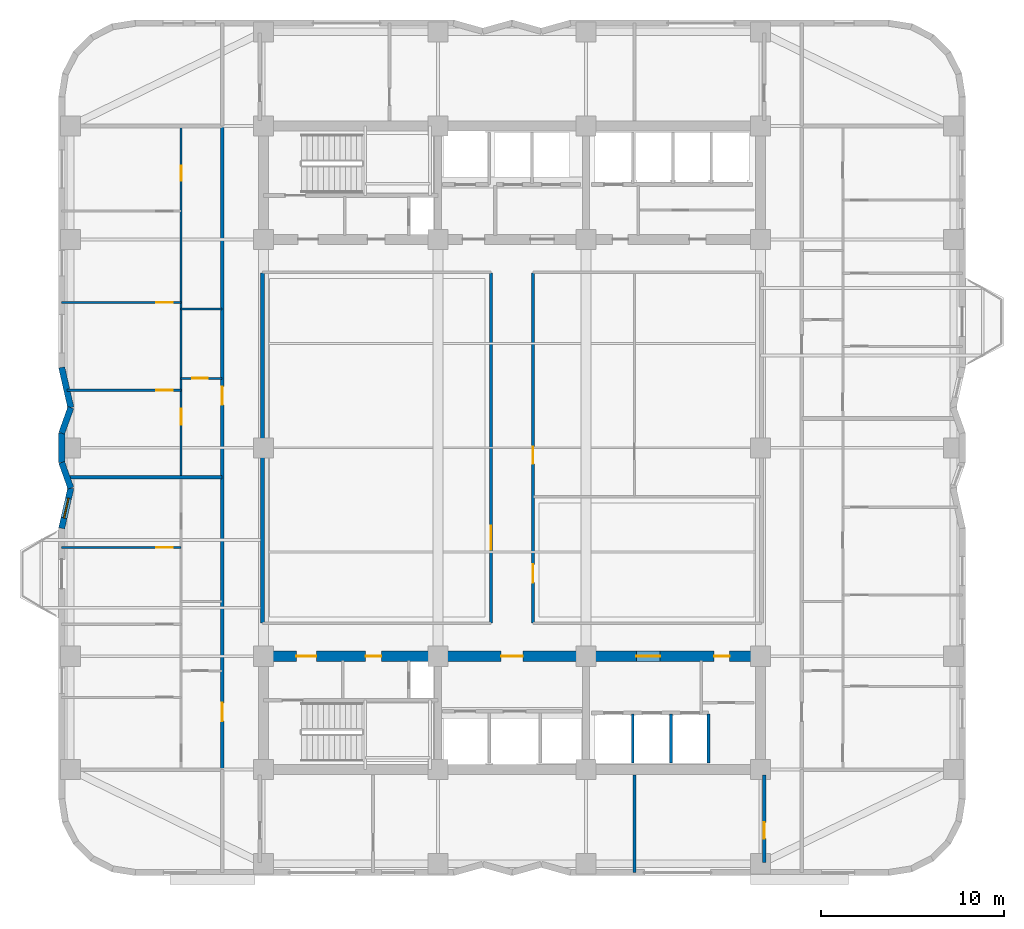
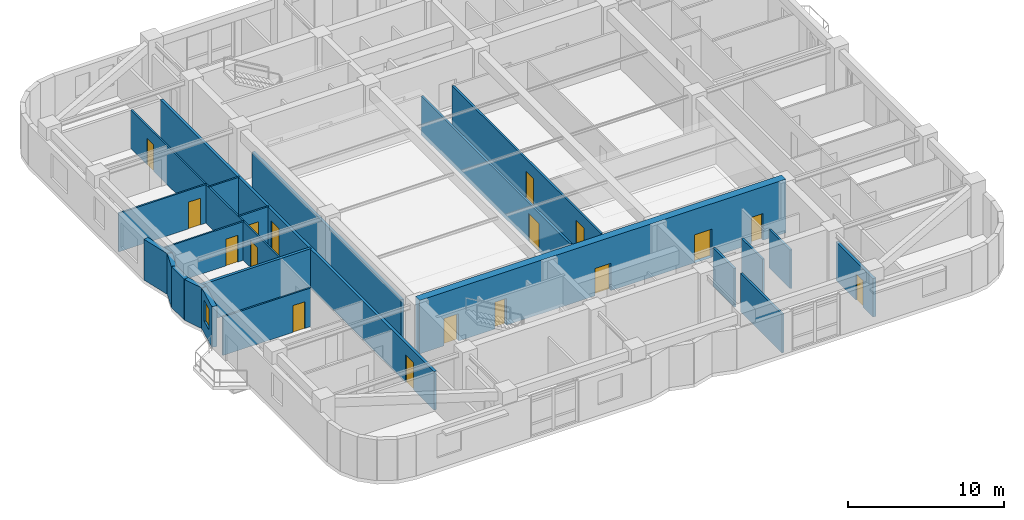
# One storey, part 8 of 15: 22 walls, 17 doors, 1 window, 18 openings.
"""IFC4 building model written with IfcOpenShell, lengths in metres."""

from ifc_helpers import new_model, si_unit, direction, frame, frame_2d, origin, place, context, subcontext, project, spatial, rectangle, extrude, material, layer, layer_set, type_object, element, fill, save


model = new_model("IFC4")

# Units and contexts
model_context = context("Model", 3, precision=1e-05, world=origin(), true_north=direction((0.0, 1.0)))
body_context = subcontext(model_context, "Body", "Model", "MODEL_VIEW")
ifc_project = project(units=[si_unit("LENGTHUNIT", "METRE"), si_unit("AREAUNIT", "SQUARE_METRE"), si_unit("VOLUMEUNIT", "CUBIC_METRE"), si_unit("PLANEANGLEUNIT", "RADIAN"), si_unit("MASSUNIT", "GRAM", prefix="KILO")], contexts=[model_context])

# Site, building, storey
site_placement = place(None, origin())
site = spatial("IfcSite", under=ifc_project, at=site_placement, CompositionType="ELEMENT")
building_placement = place(site_placement, origin())
building = spatial("IfcBuilding", under=site, at=building_placement, Name="Svetorya Sky Lyceum", CompositionType="ELEMENT")
storey_placement = place(building_placement, frame((0.0, 0.0, 84.10009765625)))
storey = spatial("IfcBuildingStorey", under=building, at=storey_placement, Name="L20", CompositionType="ELEMENT", Elevation=84.10009765625)

# Wall, openings, doors
ifc_material_1 = material(Name="Concrete C60/75", Category="concrete")
ifc_layer_1 = layer(ifc_material_1, 0.550048828125)
ifc_layer_set_1 = layer_set([ifc_layer_1], Name="Concrete C60/75")
wall_type_1 = type_object("IfcWallType", Name="WL-CORE-550", PredefinedType="SHEAR", material=ifc_layer_set_1)
wall_1_placement = place(storey_placement, frame((25.60009765625, 16.800048828125, 0.0), z_axis=(0.0, 0.0, 1.0), x_axis=(1.0, 0.0, 0.0)))
wall_1 = element("IfcWall", 1, at=wall_1_placement, inside=storey, type_object=wall_type_1, Name="L20 SC Inner Core Shear Wall", PredefinedType="SHEAR", context=body_context, shape_type="SweptSolid", body=[
    extrude(rectangle(XDim=27.199951171875, YDim=0.550048828125, at=frame_2d((13.60009765625, 0.0))), origin(), (0.0, 0.0, 1.0), 4.199951171875),
])
opening_1_placement = place(wall_1_placement, frame((1.800048828125, 0.0, 0.0)))
opening_1 = element("IfcOpeningElement", 2, at=opening_1_placement, cuts=wall_1, Name="Opening D-ST1", PredefinedType="OPENING", context=body_context, shape_type="SweptSolid", body=[
    extrude(rectangle(XDim=1.10009765625, YDim=2.14990234375, at=frame_2d((0.550048828125, 1.074951171875))), frame((0.0, 0.284912109375, 0.0), z_axis=(0.0, -1.0, 0.0), x_axis=(1.0, 0.0, 0.0)), (0.0, 0.0, 1.0), 0.570068359375),
])
opening_2_placement = place(wall_1_placement, frame((5.60009765625, 0.0, 0.0)))
opening_2 = element("IfcOpeningElement", 3, at=opening_2_placement, cuts=wall_1, Name="Opening D-CWC1", PredefinedType="OPENING", context=body_context, shape_type="SweptSolid", body=[
    extrude(rectangle(XDim=0.85009765625, YDim=2.10009765625, at=frame_2d((0.425048828125, 1.050048828125))), frame((0.0, 0.284912109375, 0.0), z_axis=(0.0, -1.0, 0.0), x_axis=(1.0, 0.0, 0.0)), (0.0, 0.0, 1.0), 0.570068359375),
])
opening_3_placement = place(wall_1_placement, frame((13.0, 0.0, 0.0)))
opening_3 = element("IfcOpeningElement", 4, at=opening_3_placement, cuts=wall_1, Name="Opening D-FL1", PredefinedType="OPENING", context=body_context, shape_type="SweptSolid", body=[
    extrude(rectangle(XDim=1.199951171875, YDim=2.14990234375, at=frame_2d((0.60009765625, 1.074951171875))), frame((0.0, 0.284912109375, 0.0), z_axis=(0.0, -1.0, 0.0), x_axis=(1.0, 0.0, 0.0)), (0.0, 0.0, 1.0), 0.570068359375),
])
opening_4_placement = place(wall_1_placement, frame((20.39990234375, 0.0, 0.0)))
opening_4 = element("IfcOpeningElement", 5, at=opening_4_placement, cuts=wall_1, Name="Opening D-LB1", PredefinedType="OPENING", context=body_context, shape_type="SweptSolid", body=[
    extrude(rectangle(XDim=1.300048828125, YDim=2.199951171875, at=frame_2d((0.64990234375, 1.10009765625))), frame((0.0, 0.284912109375, 0.0), z_axis=(0.0, -1.0, 0.0), x_axis=(1.0, 0.0, 0.0)), (0.0, 0.0, 1.0), 0.570068359375),
])
opening_5_placement = place(wall_1_placement, frame((24.64990234375, 0.0, 0.0)))
opening_5 = element("IfcOpeningElement", 6, at=opening_5_placement, cuts=wall_1, Name="Opening D-CWC1", PredefinedType="OPENING", context=body_context, shape_type="SweptSolid", body=[
    extrude(rectangle(XDim=0.85009765625, YDim=2.10009765625, at=frame_2d((0.425048828125, 1.050048828125))), frame((0.0, 0.284912109375, 0.0), z_axis=(0.0, -1.0, 0.0), x_axis=(1.0, 0.0, 0.0)), (0.0, 0.0, 1.0), 0.570068359375),
])
ifc_material_2 = material(Name="Fire-rated galvanized steel core service closet door", Category="steel")
door_type_1 = type_object("IfcDoorType", Name="DR-CWET-850", OperationType="SINGLE_SWING_LEFT", PredefinedType="DOOR", material=ifc_material_2)
door_1_placement = place(opening_2_placement, origin())
door_1 = element("IfcDoor", 7, at=door_1_placement, inside=storey, type_object=door_type_1, Name="L20 South Hydrant Room Door", OperationType="SINGLE_SWING_LEFT", OverallHeight=2.10009765625, OverallWidth=0.85009765625, PredefinedType="DOOR", context=body_context, shape_type="SweptSolid", body=[
    extrude(rectangle(XDim=0.85009765625, YDim=2.10009765625, at=frame_2d((0.425048828125, 1.050048828125))), frame((0.0, 0.02490234375, 0.0), z_axis=(0.0, -1.0, 0.0), x_axis=(1.0, 0.0, 0.0)), (0.0, 0.0, 1.0), 0.050048828125),
])
fill(opening_2, door_1)
door_2_placement = place(opening_5_placement, origin())
door_2 = element("IfcDoor", 8, at=door_2_placement, inside=storey, type_object=door_type_1, Name="L20 South Core Auxiliary Door", OperationType="SINGLE_SWING_LEFT", OverallHeight=2.10009765625, OverallWidth=0.85009765625, PredefinedType="DOOR", context=body_context, shape_type="SweptSolid", body=[
    extrude(rectangle(XDim=0.85009765625, YDim=2.10009765625, at=frame_2d((0.425048828125, 1.050048828125))), frame((0.0, 0.02490234375, 0.0), z_axis=(0.0, -1.0, 0.0), x_axis=(1.0, 0.0, 0.0)), (0.0, 0.0, 1.0), 0.050048828125),
])
fill(opening_5, door_2)
ifc_material_3 = material(Name="Powder-coated insulated galvanized stair fire door")
door_type_2 = type_object("IfcDoorType", Name="DR-FIRE-1100", OperationType="SINGLE_SWING_LEFT", PredefinedType="DOOR", material=ifc_material_3)
door_3_placement = place(opening_1_placement, origin())
door_3 = element("IfcDoor", 9, at=door_3_placement, inside=storey, type_object=door_type_2, Name="L20 South Stair Airlock Door", OperationType="SINGLE_SWING_RIGHT", OverallHeight=2.14990234375, OverallWidth=1.10009765625, PredefinedType="DOOR", context=body_context, shape_type="SweptSolid", body=[
    extrude(rectangle(XDim=1.10009765625, YDim=2.14990234375, at=frame_2d((0.550048828125, 1.074951171875))), frame((0.0, 0.02490234375, 0.0), z_axis=(0.0, -1.0, 0.0), x_axis=(1.0, 0.0, 0.0)), (0.0, 0.0, 1.0), 0.050048828125),
])
fill(opening_1, door_3)
ifc_material_4 = material(Name="Powder-coated insulated galvanized fire door")
door_type_3 = type_object("IfcDoorType", Name="DR-FIRE-1200", OperationType="SINGLE_SWING_LEFT", PredefinedType="DOOR", material=ifc_material_4)
door_4_placement = place(opening_3_placement, origin())
door_4 = element("IfcDoor", 10, at=door_4_placement, inside=storey, type_object=door_type_3, Name="L20 South Firefighting Lift Lobby Door", OperationType="SINGLE_SWING_LEFT", OverallHeight=2.14990234375, OverallWidth=1.199951171875, PredefinedType="DOOR", context=body_context, shape_type="SweptSolid", body=[
    extrude(rectangle(XDim=1.199951171875, YDim=2.14990234375, at=frame_2d((0.60009765625, 1.074951171875))), frame((0.0, 0.02490234375, 0.0), z_axis=(0.0, -1.0, 0.0), x_axis=(1.0, 0.0, 0.0)), (0.0, 0.0, 1.0), 0.050048828125),
])
fill(opening_3, door_4)
ifc_material_5 = material(Name="Glazed fire-rated aluminium lobby door", Category="aluminium")
door_type_4 = type_object("IfcDoorType", Name="DR-LOB-1300", OperationType="SINGLE_SWING_LEFT", PredefinedType="DOOR", material=ifc_material_5)
door_5_placement = place(opening_4_placement, origin())
door_5 = element("IfcDoor", 11, at=door_5_placement, inside=storey, type_object=door_type_4, Name="L20 Low-Rise Lift Lobby Door", OperationType="SINGLE_SWING_RIGHT", OverallHeight=2.199951171875, OverallWidth=1.300048828125, PredefinedType="DOOR", context=body_context, shape_type="SweptSolid", body=[
    extrude(rectangle(XDim=1.300048828125, YDim=2.199951171875, at=frame_2d((0.64990234375, 1.10009765625))), frame((0.0, 0.02490234375, 0.0), z_axis=(0.0, -1.0, 0.0), x_axis=(1.0, 0.0, 0.0)), (0.0, 0.0, 1.0), 0.050048828125),
])
fill(opening_4, door_5)

# Walls
ifc_material_6 = material(Name="Putilovo limestone rainscreen on autoclaved cellular masonry", Category="masonry")
ifc_layer_2 = layer(ifc_material_6, 0.340087890625)
ifc_layer_set_2 = layer_set([ifc_layer_2], Name="Putilovo limestone rainscreen on autoclaved cellular masonry")
wall_type_2 = type_object("IfcWallType", Name="WL-EXT-340", PredefinedType="SOLIDWALL", material=ifc_layer_set_2)
wall_2_placement = place(storey_placement, frame((14.570068359375, 32.60009765625, 0.0), z_axis=(0.0, 0.0, 1.0), x_axis=(0.221602396322, -0.975137107254, 0.0)))
element("IfcWall", 12, at=wall_2_placement, inside=storey, type_object=wall_type_2, Name="L20 Limestone Exterior Wall 41M", PredefinedType="SOLIDWALL", context=body_context, shape_type="SweptSolid", body=[
    extrude(rectangle(XDim=2.25634765625, YDim=0.340087890625, at=frame_2d((1.128173828125, 0.0))), origin(), (0.0, 0.0, 1.0), 3.199951171875),
])
wall_3_placement = place(storey_placement, frame((15.070068359375, 30.39990234375, 0.0), z_axis=(0.0, 0.0, 1.0), x_axis=(-0.336357205213, -0.94173447983, 0.0)))
element("IfcWall", 13, at=wall_3_placement, inside=storey, type_object=wall_type_2, Name="L20 Limestone Exterior Wall 42M", PredefinedType="SOLIDWALL", context=body_context, shape_type="SweptSolid", body=[
    extrude(rectangle(XDim=1.486572265625, YDim=0.340087890625, at=frame_2d((0.7431640625, 0.0))), origin(), (0.0, 0.0, 1.0), 3.199951171875),
])
wall_4_placement = place(storey_placement, frame((14.570068359375, 29.0, 0.0), z_axis=(0.0, 0.0, 1.0), x_axis=(0.0, -1.0, 0.0)))
element("IfcWall", 14, at=wall_4_placement, inside=storey, type_object=wall_type_2, Name="L20 Limestone Exterior Wall 43M", PredefinedType="SOLIDWALL", context=body_context, shape_type="SweptSolid", body=[
    extrude(rectangle(XDim=1.60009765625, YDim=0.340087890625, at=frame_2d((0.800048828125, 0.0))), origin(), (0.0, 0.0, 1.0), 3.199951171875),
])
wall_5_placement = place(storey_placement, frame((14.570068359375, 27.39990234375, 0.0), z_axis=(0.0, 0.0, 1.0), x_axis=(0.336357205213, -0.94173447983, 0.0)))
element("IfcWall", 15, at=wall_5_placement, inside=storey, type_object=wall_type_2, Name="L20 Limestone Exterior Wall 44M", PredefinedType="SOLIDWALL", context=body_context, shape_type="SweptSolid", body=[
    extrude(rectangle(XDim=1.486572265625, YDim=0.340087890625, at=frame_2d((0.7431640625, 0.0))), origin(), (0.0, 0.0, 1.0), 3.199951171875),
])

# Wall, opening, window
wall_6_placement = place(storey_placement, frame((15.070068359375, 26.0, 0.0), z_axis=(0.0, 0.0, 1.0), x_axis=(-0.221625780886, -0.975131792758, 0.0)))
wall_6 = element("IfcWall", 16, at=wall_6_placement, inside=storey, type_object=wall_type_2, Name="L20 Limestone Exterior Wall 45M", PredefinedType="SOLIDWALL", context=body_context, shape_type="SweptSolid", body=[
    extrude(rectangle(XDim=2.256103515625, YDim=0.340087890625, at=frame_2d((1.1279296875, 0.0))), origin(), (0.0, 0.0, 1.0), 3.199951171875),
])
opening_6_placement = place(wall_6_placement, frame((0.578125, 0.0, 0.949951171875)))
opening_6 = element("IfcOpeningElement", 17, at=opening_6_placement, cuts=wall_6, Name="Opening W-R3", PredefinedType="OPENING", context=body_context, shape_type="SweptSolid", body=[
    extrude(rectangle(XDim=1.10009765625, YDim=1.64990234375, at=frame_2d((0.550048828125, 0.824951171875))), frame((0.0, 0.179931640625, 0.0), z_axis=(0.0, -1.0, 0.0), x_axis=(1.0, 0.0, 0.0)), (0.0, 0.0, 1.0), 0.360107421875),
])
ifc_material_7 = material(Name="Thermally broken aluminium frame with triple low-E glazing", Category="aluminium")
window_type = type_object("IfcWindowType", Name="WN-RES-110", PartitioningType="SINGLE_PANEL", PredefinedType="WINDOW", material=ifc_material_7)
window_placement = place(opening_6_placement, origin())
window = element("IfcWindow", 18, at=window_placement, inside=storey, type_object=window_type, Name="L20 Facade Window W-R3.45M.1", OverallHeight=1.64990234375, OverallWidth=1.10009765625, PartitioningType="SINGLE_PANEL", PredefinedType="WINDOW", context=body_context, shape_type="SweptSolid", body=[
    extrude(rectangle(XDim=1.10009765625, YDim=1.64990234375, at=frame_2d((0.550048828125, 0.824951171875))), frame((0.0, 0.030029296875, 0.0), z_axis=(0.0, -1.0, 0.0), x_axis=(1.0, 0.0, 0.0)), (0.0, 0.0, 1.0), 0.06005859375),
])
fill(opening_6, window)

# Wall, opening, door
ifc_material_8 = material(Name="Twin-stud galvanized framing with double fireboard", Category="gypsum")
ifc_layer_3 = layer(ifc_material_8, 0.1201171875)
ifc_layer_set_3 = layer_set([ifc_layer_3], Name="Twin-stud galvanized framing with double fireboard")
wall_type_3 = type_object("IfcWallType", Name="WL-PART-120", PredefinedType="PARTITIONING", material=ifc_layer_set_3)
wall_7_placement = place(storey_placement, frame((14.570068359375, 22.75, 0.0), z_axis=(0.0, 0.0, 1.0), x_axis=(1.0, 0.0, 0.0)))
wall_7 = element("IfcWall", 19, at=wall_7_placement, inside=storey, type_object=wall_type_3, Name="L20 Interior Partition W1-WL3", PredefinedType="PARTITIONING", context=body_context, shape_type="SweptSolid", body=[
    extrude(rectangle(XDim=6.530029296875, YDim=0.1201171875, at=frame_2d((3.26513671875, 0.0))), origin(), (0.0, 0.0, 1.0), 3.02978515625),
])
opening_7_placement = place(wall_7_placement, frame((5.179931640625, 0.0, 0.0)))
opening_7 = element("IfcOpeningElement", 20, at=opening_7_placement, cuts=wall_7, Name="Opening D-RM1", PredefinedType="OPENING", context=body_context, shape_type="SweptSolid", body=[
    extrude(rectangle(XDim=0.89990234375, YDim=2.10009765625, at=frame_2d((0.449951171875, 1.050048828125))), frame((0.0, 0.070068359375, 0.0), z_axis=(0.0, -1.0, 0.0), x_axis=(1.0, 0.0, 0.0)), (0.0, 0.0, 1.0), 0.14013671875),
])
ifc_material_9 = material(Name="Lacquered birch veneer internal door")
door_type_5 = type_object("IfcDoorType", Name="DR-INT-900", OperationType="SINGLE_SWING_LEFT", PredefinedType="DOOR", material=ifc_material_9)
door_6_placement = place(opening_7_placement, origin())
door_6 = element("IfcDoor", 21, at=door_6_placement, inside=storey, type_object=door_type_5, Name="Apartment W1 Bedroom 3 Door", OperationType="SINGLE_SWING_LEFT", OverallHeight=2.10009765625, OverallWidth=0.89990234375, PredefinedType="DOOR", context=body_context, shape_type="SweptSolid", body=[
    extrude(rectangle(XDim=0.89990234375, YDim=2.10009765625, at=frame_2d((0.449951171875, 1.050048828125))), frame((0.0, 0.02490234375, 0.0), z_axis=(0.0, -1.0, 0.0), x_axis=(1.0, 0.0, 0.0)), (0.0, 0.0, 1.0), 0.050048828125),
])
fill(opening_7, door_6)

wall_8_placement = place(storey_placement, frame((21.10009765625, 32.0, 0.0), z_axis=(0.0, 0.0, 1.0), x_axis=(1.0, 0.0, 0.0)))
wall_8 = element("IfcWall", 22, at=wall_8_placement, inside=storey, type_object=wall_type_3, Name="L20 Interior Partition W2-WH1", PredefinedType="PARTITIONING", context=body_context, shape_type="SweptSolid", body=[
    extrude(rectangle(XDim=2.25, YDim=0.1201171875, at=frame_2d((1.125, 0.0))), origin(), (0.0, 0.0, 1.0), 3.02978515625),
])
opening_8_placement = place(wall_8_placement, frame((0.60009765625, 0.0, 0.0)))
opening_8 = element("IfcOpeningElement", 23, at=opening_8_placement, cuts=wall_8, Name="Opening D-BT1", PredefinedType="OPENING", context=body_context, shape_type="SweptSolid", body=[
    extrude(rectangle(XDim=0.85009765625, YDim=2.10009765625, at=frame_2d((0.425048828125, 1.050048828125))), frame((0.0, 0.070068359375, 0.0), z_axis=(0.0, -1.0, 0.0), x_axis=(1.0, 0.0, 0.0)), (0.0, 0.0, 1.0), 0.14013671875),
])
ifc_material_10 = material(Name="Moisture-resistant laminate bathroom door")
door_type_6 = type_object("IfcDoorType", Name="DR-WET-850", OperationType="SINGLE_SWING_LEFT", PredefinedType="DOOR", material=ifc_material_10)
door_7_placement = place(opening_8_placement, origin())
door_7 = element("IfcDoor", 24, at=door_7_placement, inside=storey, type_object=door_type_6, Name="Apartment W2 Bathroom Door", OperationType="SINGLE_SWING_RIGHT", OverallHeight=2.10009765625, OverallWidth=0.85009765625, PredefinedType="DOOR", context=body_context, shape_type="SweptSolid", body=[
    extrude(rectangle(XDim=0.85009765625, YDim=2.10009765625, at=frame_2d((0.425048828125, 1.050048828125))), frame((0.0, 0.02490234375, 0.0), z_axis=(0.0, -1.0, 0.0), x_axis=(1.0, 0.0, 0.0)), (0.0, 0.0, 1.0), 0.050048828125),
])
fill(opening_8, door_7)

# Wall
wall_9_placement = place(storey_placement, frame((21.10009765625, 35.800048828125, 0.0), z_axis=(0.0, 0.0, 1.0), x_axis=(1.0, 0.0, 0.0)))
element("IfcWall", 25, at=wall_9_placement, inside=storey, type_object=wall_type_3, Name="L20 Interior Partition W2-WH2", PredefinedType="PARTITIONING", context=body_context, shape_type="SweptSolid", body=[
    extrude(rectangle(XDim=2.25, YDim=0.1201171875, at=frame_2d((1.125, 0.0))), origin(), (0.0, 0.0, 1.0), 3.02978515625),
])

# Wall, opening, door
wall_10_placement = place(storey_placement, frame((14.85400390625, 31.35009765625, 0.0), z_axis=(0.0, 0.0, 1.0), x_axis=(1.0, 0.0, 0.0)))
wall_10 = element("IfcWall", 26, at=wall_10_placement, inside=storey, type_object=wall_type_3, Name="L20 Interior Partition W2-WL1", PredefinedType="PARTITIONING", context=body_context, shape_type="SweptSolid", body=[
    extrude(rectangle(XDim=6.24609375, YDim=0.1201171875, at=frame_2d((3.123046875, 0.0))), origin(), (0.0, 0.0, 1.0), 3.02978515625),
])
opening_9_placement = place(wall_10_placement, frame((4.89599609375, 0.0, 0.0)))
opening_9 = element("IfcOpeningElement", 27, at=opening_9_placement, cuts=wall_10, Name="Opening D-RM1", PredefinedType="OPENING", context=body_context, shape_type="SweptSolid", body=[
    extrude(rectangle(XDim=0.89990234375, YDim=2.10009765625, at=frame_2d((0.449951171875, 1.050048828125))), frame((0.0, 0.070068359375, 0.0), z_axis=(0.0, -1.0, 0.0), x_axis=(1.0, 0.0, 0.0)), (0.0, 0.0, 1.0), 0.14013671875),
])
door_8_placement = place(opening_9_placement, origin())
door_8 = element("IfcDoor", 28, at=door_8_placement, inside=storey, type_object=door_type_5, Name="Apartment W2 Master Bedroom Door", OperationType="SINGLE_SWING_RIGHT", OverallHeight=2.10009765625, OverallWidth=0.89990234375, PredefinedType="DOOR", context=body_context, shape_type="SweptSolid", body=[
    extrude(rectangle(XDim=0.89990234375, YDim=2.10009765625, at=frame_2d((0.449951171875, 1.050048828125))), frame((0.0, 0.02490234375, 0.0), z_axis=(0.0, -1.0, 0.0), x_axis=(1.0, 0.0, 0.0)), (0.0, 0.0, 1.0), 0.050048828125),
])
fill(opening_9, door_8)

wall_11_placement = place(storey_placement, frame((14.570068359375, 36.14990234375, 0.0), z_axis=(0.0, 0.0, 1.0), x_axis=(1.0, 0.0, 0.0)))
wall_11 = element("IfcWall", 29, at=wall_11_placement, inside=storey, type_object=wall_type_3, Name="L20 Interior Partition W2-WL2", PredefinedType="PARTITIONING", context=body_context, shape_type="SweptSolid", body=[
    extrude(rectangle(XDim=6.530029296875, YDim=0.1201171875, at=frame_2d((3.26513671875, 0.0))), origin(), (0.0, 0.0, 1.0), 3.02978515625),
])
opening_10_placement = place(wall_11_placement, frame((5.179931640625, 0.0, 0.0)))
opening_10 = element("IfcOpeningElement", 30, at=opening_10_placement, cuts=wall_11, Name="Opening D-RM1", PredefinedType="OPENING", context=body_context, shape_type="SweptSolid", body=[
    extrude(rectangle(XDim=0.89990234375, YDim=2.10009765625, at=frame_2d((0.449951171875, 1.050048828125))), frame((0.0, 0.070068359375, 0.0), z_axis=(0.0, -1.0, 0.0), x_axis=(1.0, 0.0, 0.0)), (0.0, 0.0, 1.0), 0.14013671875),
])
door_9_placement = place(opening_10_placement, origin())
door_9 = element("IfcDoor", 31, at=door_9_placement, inside=storey, type_object=door_type_5, Name="Apartment W2 Bedroom 2 Door", OperationType="SINGLE_SWING_LEFT", OverallHeight=2.10009765625, OverallWidth=0.89990234375, PredefinedType="DOOR", context=body_context, shape_type="SweptSolid", body=[
    extrude(rectangle(XDim=0.89990234375, YDim=2.10009765625, at=frame_2d((0.449951171875, 1.050048828125))), frame((0.0, 0.02490234375, 0.0), z_axis=(0.0, -1.0, 0.0), x_axis=(1.0, 0.0, 0.0)), (0.0, 0.0, 1.0), 0.050048828125),
])
fill(opening_10, door_9)

# Wall, openings, doors
wall_12_placement = place(storey_placement, frame((21.10009765625, 26.639892578125, 0.0), z_axis=(0.0, 0.0, 1.0), x_axis=(0.0, 1.0, 0.0)))
wall_12 = element("IfcWall", 32, at=wall_12_placement, inside=storey, type_object=wall_type_3, Name="L20 Interior Partition W2-WV", PredefinedType="PARTITIONING", context=body_context, shape_type="SweptSolid", body=[
    extrude(rectangle(XDim=19.1201171875, YDim=0.1201171875, at=frame_2d((9.56005859375, 0.0))), origin(), (0.0, 0.0, 1.0), 3.02978515625),
])
opening_11_placement = place(wall_12_placement, frame((2.81005859375, 0.0, 0.0)))
opening_11 = element("IfcOpeningElement", 33, at=opening_11_placement, cuts=wall_12, Name="Opening D-RM1", PredefinedType="OPENING", context=body_context, shape_type="SweptSolid", body=[
    extrude(rectangle(XDim=0.89990234375, YDim=2.10009765625, at=frame_2d((0.449951171875, 1.050048828125))), frame((0.0, 0.070068359375, 0.0), z_axis=(0.0, -1.0, 0.0), x_axis=(1.0, 0.0, 0.0)), (0.0, 0.0, 1.0), 0.14013671875),
])
opening_12_placement = place(wall_12_placement, frame((16.179931640625, 0.0, 0.0)))
opening_12 = element("IfcOpeningElement", 34, at=opening_12_placement, cuts=wall_12, Name="Opening D-BT2", PredefinedType="OPENING", context=body_context, shape_type="SweptSolid", body=[
    extrude(rectangle(XDim=0.820068359375, YDim=2.080078125, at=frame_2d((0.41015625, 1.0400390625))), frame((0.0, 0.070068359375, 0.0), z_axis=(0.0, -1.0, 0.0), x_axis=(1.0, 0.0, 0.0)), (0.0, 0.0, 1.0), 0.14013671875),
])
door_10_placement = place(opening_11_placement, origin())
door_10 = element("IfcDoor", 35, at=door_10_placement, inside=storey, type_object=door_type_5, Name="Apartment W2 Living Door", OperationType="SINGLE_SWING_LEFT", OverallHeight=2.10009765625, OverallWidth=0.89990234375, PredefinedType="DOOR", context=body_context, shape_type="SweptSolid", body=[
    extrude(rectangle(XDim=0.89990234375, YDim=2.10009765625, at=frame_2d((0.449951171875, 1.050048828125))), frame((0.0, 0.02490234375, 0.0), z_axis=(0.0, -1.0, 0.0), x_axis=(1.0, 0.0, 0.0)), (0.0, 0.0, 1.0), 0.050048828125),
])
fill(opening_11, door_10)
ifc_material_11 = material(Name="Compact moisture-resistant laminate closet door")
door_type_7 = type_object("IfcDoorType", Name="DR-WET-820", OperationType="SINGLE_SWING_LEFT", PredefinedType="DOOR", material=ifc_material_11)
door_11_placement = place(opening_12_placement, origin())
door_11 = element("IfcDoor", 36, at=door_11_placement, inside=storey, type_object=door_type_7, Name="Apartment W2 Study Door", OperationType="SINGLE_SWING_RIGHT", OverallHeight=2.080078125, OverallWidth=0.820068359375, PredefinedType="DOOR", context=body_context, shape_type="SweptSolid", body=[
    extrude(rectangle(XDim=0.820068359375, YDim=2.080078125, at=frame_2d((0.41015625, 1.0400390625))), frame((0.0, 0.02490234375, 0.0), z_axis=(0.0, -1.0, 0.0), x_axis=(1.0, 0.0, 0.0)), (0.0, 0.0, 1.0), 0.050048828125),
])
fill(opening_12, door_11)

# Walls
ifc_material_12 = material(Name="Autoclaved cellular masonry blockwork with acoustic render", Category="masonry")
ifc_layer_4 = layer(ifc_material_12, 0.14990234375)
ifc_layer_set_4 = layer_set([ifc_layer_4], Name="Autoclaved cellular masonry blockwork with acoustic render")
wall_type_4 = type_object("IfcWallType", Name="WL-PART-150", PredefinedType="PARTITIONING", material=ifc_layer_set_4)
for number, where, z_axis, x_axis, name in (
    (37, (45.800048828125, 10.949951171875, 0.0), (0.0, 0.0, 1.0), (0.0, 1.0, 0.0), "L20 Interior Partition SC-PL-DIV1"),
    (38, (47.89990234375, 10.949951171875, 0.0), (0.0, 0.0, 1.0), (0.0, 1.0, 0.0), "L20 Interior Partition SC-PL-DIV2"),
    (39, (49.949951171875, 10.949951171875, 0.0), (0.0, 0.0, 1.0), (0.0, 1.0, 0.0), "L20 Interior Partition SC-PL-END"),
):
    element("IfcWall", number, at=place(storey_placement, frame(where, z_axis=z_axis, x_axis=x_axis)), inside=storey, type_object=wall_type_4, Name=name, PredefinedType="PARTITIONING", context=body_context, shape_type="SweptSolid", body=[
        extrude(rectangle(XDim=2.699951171875, YDim=0.14990234375, at=frame_2d((1.35009765625, 0.0))), origin(), (0.0, 0.0, 1.0), 3.02978515625),
    ])

# Wall, opening, door
wall_13_placement = place(storey_placement, frame((38.050048828125, 18.6298828125, 0.0), z_axis=(0.0, 0.0, 1.0), x_axis=(0.0, 1.0, 0.0)))
wall_13 = element("IfcWall", 40, at=wall_13_placement, inside=storey, type_object=wall_type_4, Name="L20 Interior Partition CEN-VW", PredefinedType="PARTITIONING", context=body_context, shape_type="SweptSolid", body=[
    extrude(rectangle(XDim=19.14013671875, YDim=0.14990234375, at=frame_2d((9.570068359375, 0.0))), origin(), (0.0, 0.0, 1.0), 3.02978515625),
])
opening_13_placement = place(wall_13_placement, frame((4.0, 0.0, 0.0)))
opening_13 = element("IfcOpeningElement", 41, at=opening_13_placement, cuts=wall_13, Name="Opening D-LB1", PredefinedType="OPENING", context=body_context, shape_type="SweptSolid", body=[
    extrude(rectangle(XDim=1.300048828125, YDim=2.199951171875, at=frame_2d((0.64990234375, 1.10009765625))), frame((0.0, 0.0849609375, 0.0), z_axis=(0.0, -1.0, 0.0), x_axis=(1.0, 0.0, 0.0)), (0.0, 0.0, 1.0), 0.169921875),
])
door_12_placement = place(opening_13_placement, origin())
door_12 = element("IfcDoor", 42, at=door_12_placement, inside=storey, type_object=door_type_4, Name="L20 Sky Hall Door", OperationType="SINGLE_SWING_LEFT", OverallHeight=2.199951171875, OverallWidth=1.300048828125, PredefinedType="DOOR", context=body_context, shape_type="SweptSolid", body=[
    extrude(rectangle(XDim=1.300048828125, YDim=2.199951171875, at=frame_2d((0.64990234375, 1.10009765625))), frame((0.0, 0.02490234375, 0.0), z_axis=(0.0, -1.0, 0.0), x_axis=(1.0, 0.0, 0.0)), (0.0, 0.0, 1.0), 0.050048828125),
])
fill(opening_13, door_12)

# Wall, openings, doors
wall_14_placement = place(storey_placement, frame((40.35009765625, 18.6298828125, 0.0), z_axis=(0.0, 0.0, 1.0), x_axis=(0.0, 1.0, 0.0)))
wall_14 = element("IfcWall", 43, at=wall_14_placement, inside=storey, type_object=wall_type_4, Name="L20 Interior Partition CEN-VE", PredefinedType="PARTITIONING", context=body_context, shape_type="SweptSolid", body=[
    extrude(rectangle(XDim=19.14013671875, YDim=0.14990234375, at=frame_2d((9.570068359375, 0.0))), origin(), (0.0, 0.0, 1.0), 3.02978515625),
])
opening_14_placement = place(wall_14_placement, frame((2.199951171875, 0.0, 0.0)))
opening_14 = element("IfcOpeningElement", 44, at=opening_14_placement, cuts=wall_14, Name="Opening D-RM2", PredefinedType="OPENING", context=body_context, shape_type="SweptSolid", body=[
    extrude(rectangle(XDim=1.0, YDim=2.14990234375, at=frame_2d((0.5, 1.074951171875))), frame((0.0, 0.0849609375, 0.0), z_axis=(0.0, -1.0, 0.0), x_axis=(1.0, 0.0, 0.0)), (0.0, 0.0, 1.0), 0.169921875),
])
opening_15_placement = place(wall_14_placement, frame((8.6904296875, 0.0, 0.0)))
opening_15 = element("IfcOpeningElement", 45, at=opening_15_placement, cuts=wall_14, Name="Opening D-WC1", PredefinedType="OPENING", context=body_context, shape_type="SweptSolid", body=[
    extrude(rectangle(XDim=0.949951171875, YDim=2.10009765625, at=frame_2d((0.47509765625, 1.050048828125))), frame((0.0, 0.0849609375, 0.0), z_axis=(0.0, -1.0, 0.0), x_axis=(1.0, 0.0, 0.0)), (0.0, 0.0, 1.0), 0.169921875),
])
ifc_material_13 = material(Name="Moisture-resistant laminate accessible WC door")
door_type_8 = type_object("IfcDoorType", Name="DR-ACC-950", OperationType="SINGLE_SWING_LEFT", PredefinedType="DOOR", material=ifc_material_13)
door_13_placement = place(opening_15_placement, origin())
door_13 = element("IfcDoor", 46, at=door_13_placement, inside=storey, type_object=door_type_8, Name="L20 Sky WC Door", OperationType="SINGLE_SWING_LEFT", OverallHeight=2.10009765625, OverallWidth=0.949951171875, PredefinedType="DOOR", context=body_context, shape_type="SweptSolid", body=[
    extrude(rectangle(XDim=0.949951171875, YDim=2.10009765625, at=frame_2d((0.47509765625, 1.050048828125))), frame((0.0, 0.02490234375, 0.0), z_axis=(0.0, -1.0, 0.0), x_axis=(1.0, 0.0, 0.0)), (0.0, 0.0, 1.0), 0.050048828125),
])
fill(opening_15, door_13)
ifc_material_14 = material(Name="Solid-core oak acoustic room door")
door_type_9 = type_object("IfcDoorType", Name="DR-INT-1000", OperationType="SINGLE_SWING_LEFT", PredefinedType="DOOR", material=ifc_material_14)
door_14_placement = place(opening_14_placement, origin())
door_14 = element("IfcDoor", 47, at=door_14_placement, inside=storey, type_object=door_type_9, Name="L20 Commons Door", OperationType="SINGLE_SWING_RIGHT", OverallHeight=2.14990234375, OverallWidth=1.0, PredefinedType="DOOR", context=body_context, shape_type="SweptSolid", body=[
    extrude(rectangle(XDim=1.0, YDim=2.14990234375, at=frame_2d((0.5, 1.074951171875))), frame((0.0, 0.02490234375, 0.0), z_axis=(0.0, -1.0, 0.0), x_axis=(1.0, 0.0, 0.0)), (0.0, 0.0, 1.0), 0.050048828125),
])
fill(opening_14, door_14)

# Walls
wall_15_placement = place(storey_placement, frame((45.89990234375, 4.969970703125, 0.0), z_axis=(0.0, 0.0, 1.0), x_axis=(0.0, 1.0, 0.0)))
element("IfcWall", 48, at=wall_15_placement, inside=storey, type_object=wall_type_4, Name="L20 Interior Partition S-D2", PredefinedType="PARTITIONING", context=body_context, shape_type="SweptSolid", body=[
    extrude(rectangle(XDim=5.330078125, YDim=0.14990234375, at=frame_2d((2.6650390625, 0.0))), origin(), (0.0, 0.0, 1.0), 3.02978515625),
])
ifc_material_15 = material(Name="Autoclaved cellular masonry blockwork with gypsum plaster", Category="masonry")
ifc_layer_5 = layer(ifc_material_15, 0.199951171875)
ifc_layer_set_5 = layer_set([ifc_layer_5], Name="Autoclaved cellular masonry blockwork with gypsum plaster")
wall_type_5 = type_object("IfcWallType", Name="WL-PART-200", PredefinedType="PARTITIONING", material=ifc_layer_set_5)
wall_16_placement = place(storey_placement, frame((25.550048828125, 18.6298828125, 0.0), z_axis=(0.0, 0.0, 1.0), x_axis=(0.0, 1.0, 0.0)))
element("IfcWall", 49, at=wall_16_placement, inside=storey, type_object=wall_type_5, Name="L20 Interior Partition W-CEN-SEP", PredefinedType="PARTITIONING", context=body_context, shape_type="SweptSolid", body=[
    extrude(rectangle(XDim=19.14013671875, YDim=0.199951171875, at=frame_2d((9.570068359375, 0.0))), origin(), (0.0, 0.0, 1.0), 3.02978515625),
])
wall_17_placement = place(storey_placement, frame((14.855712890625, 26.60009765625, 0.0), z_axis=(0.0, 0.0, 1.0), x_axis=(1.0, 0.0, 0.0)))
element("IfcWall", 50, at=wall_17_placement, inside=storey, type_object=wall_type_5, Name="L20 Interior Partition W-PARTY-1", PredefinedType="PARTITIONING", context=body_context, shape_type="SweptSolid", body=[
    extrude(rectangle(XDim=8.494384765625, YDim=0.199951171875, at=frame_2d((4.2470703125, 0.0))), origin(), (0.0, 0.0, 1.0), 3.02978515625),
])

# Wall, openings, doors
wall_18_placement = place(storey_placement, frame((23.35009765625, 10.60009765625, 0.0), z_axis=(0.0, 0.0, 1.0), x_axis=(0.0, 1.0, 0.0)))
wall_18 = element("IfcWall", 51, at=wall_18_placement, inside=storey, type_object=wall_type_5, Name="L20 Interior Partition W-CORRW", PredefinedType="PARTITIONING", context=body_context, shape_type="SweptSolid", body=[
    extrude(rectangle(XDim=35.199951171875, YDim=0.199951171875, at=frame_2d((17.60009765625, 0.0))), origin(), (0.0, 0.0, 1.0), 3.02978515625),
])
opening_16_placement = place(wall_18_placement, frame((2.64990234375, 0.0, 0.0)))
opening_16 = element("IfcOpeningElement", 52, at=opening_16_placement, cuts=wall_18, Name="Opening D-APT1", PredefinedType="OPENING", context=body_context, shape_type="SweptSolid", body=[
    extrude(rectangle(XDim=1.0, YDim=2.14990234375, at=frame_2d((0.5, 1.074951171875))), frame((0.0, 0.10986328125, 0.0), z_axis=(0.0, -1.0, 0.0), x_axis=(1.0, 0.0, 0.0)), (0.0, 0.0, 1.0), 0.219970703125),
])
opening_17_placement = place(wall_18_placement, frame((19.949951171875, 0.0, 0.0)))
opening_17 = element("IfcOpeningElement", 53, at=opening_17_placement, cuts=wall_18, Name="Opening D-APT1", PredefinedType="OPENING", context=body_context, shape_type="SweptSolid", body=[
    extrude(rectangle(XDim=1.0, YDim=2.14990234375, at=frame_2d((0.5, 1.074951171875))), frame((0.0, 0.10986328125, 0.0), z_axis=(0.0, -1.0, 0.0), x_axis=(1.0, 0.0, 0.0)), (0.0, 0.0, 1.0), 0.219970703125),
])
ifc_material_16 = material(Name="Insulated oak-veneered apartment entrance door")
door_type_10 = type_object("IfcDoorType", Name="DR-APT-1000", OperationType="SINGLE_SWING_LEFT", PredefinedType="DOOR", material=ifc_material_16)
door_15_placement = place(opening_16_placement, origin())
door_15 = element("IfcDoor", 54, at=door_15_placement, inside=storey, type_object=door_type_10, Name="L20 Apartment W1 Entrance Door", OperationType="SINGLE_SWING_LEFT", OverallHeight=2.14990234375, OverallWidth=1.0, PredefinedType="DOOR", context=body_context, shape_type="SweptSolid", body=[
    extrude(rectangle(XDim=1.0, YDim=2.14990234375, at=frame_2d((0.5, 1.074951171875))), frame((0.0, 0.02490234375, 0.0), z_axis=(0.0, -1.0, 0.0), x_axis=(1.0, 0.0, 0.0)), (0.0, 0.0, 1.0), 0.050048828125),
])
fill(opening_16, door_15)
door_16_placement = place(opening_17_placement, origin())
door_16 = element("IfcDoor", 55, at=door_16_placement, inside=storey, type_object=door_type_10, Name="L20 Apartment W2 Entrance Door", OperationType="SINGLE_SWING_RIGHT", OverallHeight=2.14990234375, OverallWidth=1.0, PredefinedType="DOOR", context=body_context, shape_type="SweptSolid", body=[
    extrude(rectangle(XDim=1.0, YDim=2.14990234375, at=frame_2d((0.5, 1.074951171875))), frame((0.0, 0.02490234375, 0.0), z_axis=(0.0, -1.0, 0.0), x_axis=(1.0, 0.0, 0.0)), (0.0, 0.0, 1.0), 0.050048828125),
])
fill(opening_17, door_16)

# Wall, opening, door
wall_19_placement = place(storey_placement, frame((53.0, 5.52001953125, 0.0), z_axis=(0.0, 0.0, 1.0), x_axis=(0.0, 1.0, 0.0)))
wall_19 = element("IfcWall", 56, at=wall_19_placement, inside=storey, type_object=wall_type_5, Name="L20 Interior Partition S-EE", PredefinedType="PARTITIONING", context=body_context, shape_type="SweptSolid", body=[
    extrude(rectangle(XDim=4.780029296875, YDim=0.199951171875, at=frame_2d((2.39013671875, 0.0))), origin(), (0.0, 0.0, 1.0), 3.02978515625),
])
opening_18_placement = place(wall_19_placement, frame((1.300048828125, 0.0, 0.0)))
opening_18 = element("IfcOpeningElement", 57, at=opening_18_placement, cuts=wall_19, Name="Opening D-RM1", PredefinedType="OPENING", context=body_context, shape_type="SweptSolid", body=[
    extrude(rectangle(XDim=0.89990234375, YDim=2.10009765625, at=frame_2d((0.449951171875, 1.050048828125))), frame((0.0, 0.10986328125, 0.0), z_axis=(0.0, -1.0, 0.0), x_axis=(1.0, 0.0, 0.0)), (0.0, 0.0, 1.0), 0.219970703125),
])
door_17_placement = place(opening_18_placement, origin())
door_17 = element("IfcDoor", 58, at=door_17_placement, inside=storey, type_object=door_type_5, Name="L20 South Focus Door", OperationType="SINGLE_SWING_RIGHT", OverallHeight=2.10009765625, OverallWidth=0.89990234375, PredefinedType="DOOR", context=body_context, shape_type="SweptSolid", body=[
    extrude(rectangle(XDim=0.89990234375, YDim=2.10009765625, at=frame_2d((0.449951171875, 1.050048828125))), frame((0.0, 0.02490234375, 0.0), z_axis=(0.0, -1.0, 0.0), x_axis=(1.0, 0.0, 0.0)), (0.0, 0.0, 1.0), 0.050048828125),
])
fill(opening_18, door_17)

save(model, "model.ifc")
